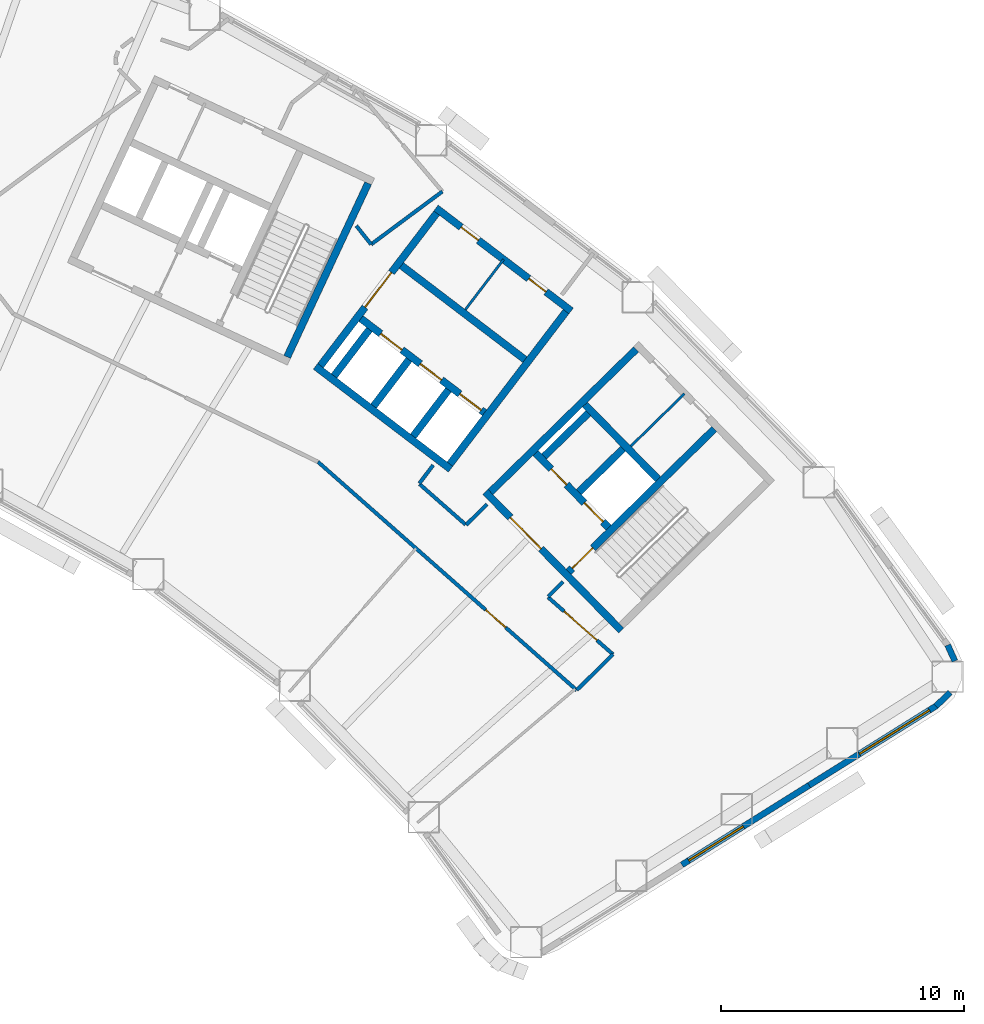
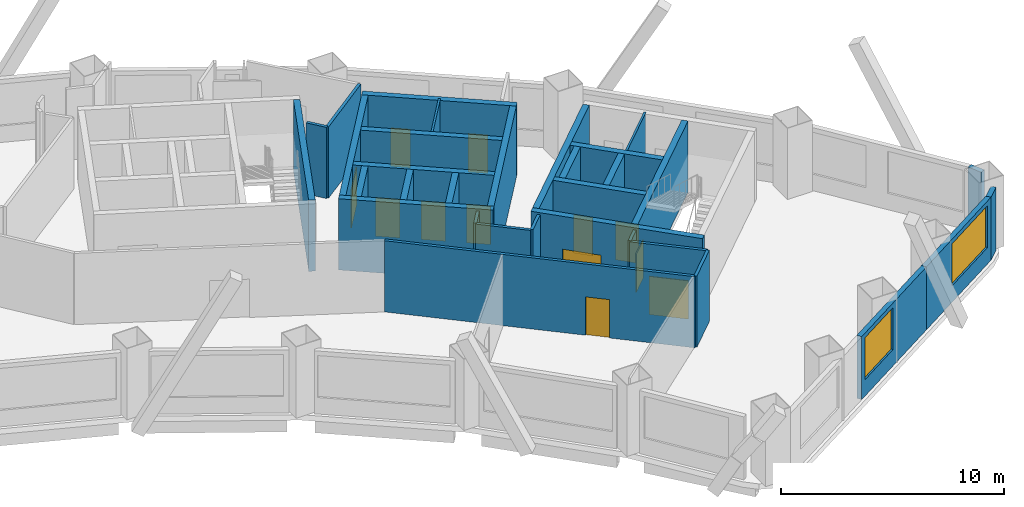
# One storey, part 6 of 11: 32 walls, 12 doors, 2 windows, 14 openings.
"""IFC4 building model written with IfcOpenShell, lengths in metres."""

import ifcopenshell
import ifcopenshell.guid

model = None  # the IFC model being written
_history = None  # IfcOwnerHistory: only IFC2X3 demands one
_inside = {}  # id of a spatial element -> (the spatial element, [elements in it])
_under = {}  # id of a project, library or spatial element -> (it, [spatial elements below it])
_declared = {}  # id of a project -> (the project, [libraries it declares])
_typed = {}  # id of a type object -> (the type object, [elements of that type])
_made_of = {}  # id of a material, layer set ... -> (it, [elements and type objects made of it])


def new_model(schema):
    """Start an empty IFC model of exactly this schema.

    Asked for "IFC4X3", IfcOpenShell would pick the latest addendum, in which some entities
    have other attributes; the version numbers below select the first issue.
    IFC2X3 requires an IfcOwnerHistory on every rooted entity: one is made here for all.
    """
    global model, _history
    if schema == "IFC4X3":
        model = ifcopenshell.file(schema_version=(4, 3, 0, 0))
    else:
        model = ifcopenshell.file(schema=schema)
    _inside.clear()
    _under.clear()
    _declared.clear()
    _typed.clear()
    _made_of.clear()
    _history = None
    if model.schema == "IFC2X3":
        org = make("IfcOrganization", Name="unknown")
        user = make(
            "IfcPersonAndOrganization",
            ThePerson=make("IfcPerson", FamilyName="unknown"),
            TheOrganization=org,
        )
        app = make(
            "IfcApplication",
            ApplicationDeveloper=org,
            Version="unknown",
            ApplicationFullName="unknown",
            ApplicationIdentifier="unknown",
        )
        _history = make(
            "IfcOwnerHistory",
            OwningUser=user,
            OwningApplication=app,
            ChangeAction="ADDED",
            CreationDate=0,
        )
    return model


def make(cls, **values):
    """One entity of the class cls with the attributes given. An attribute that is None is left unset."""
    return model.create_entity(
        cls, **{name: value for name, value in values.items() if value is not None}
    )


def rooted(cls, **values):
    """An entity with a GlobalId (a new one), such as an element, a storey or a relation."""
    return make(cls, GlobalId=ifcopenshell.guid.new(), OwnerHistory=_history, **values)


def si_unit(unit_type, name, prefix=None):
    """IfcSIUnit, for example si_unit("LENGTHUNIT", "METRE", prefix="MILLI")."""
    return make("IfcSIUnit", UnitType=unit_type, Prefix=prefix, Name=name)


def assignment(units):
    """IfcUnitAssignment: the units of a project."""
    return None if units is None else make("IfcUnitAssignment", Units=units)


def point(xyz):
    """IfcCartesianPoint."""
    return None if xyz is None else make("IfcCartesianPoint", Coordinates=xyz)


def direction(xyz):
    """IfcDirection."""
    return None if xyz is None else make("IfcDirection", DirectionRatios=xyz)


def frame(location, z_axis=None, x_axis=None):
    """IfcAxis2Placement3D, a coordinate frame: its origin and axes. An axis left out is left unset."""
    return make(
        "IfcAxis2Placement3D",
        Location=point(location),
        Axis=direction(z_axis),
        RefDirection=direction(x_axis),
    )


def frame_2d(location, x_axis=None):
    """IfcAxis2Placement2D, a coordinate frame in the plane: its origin and x axis."""
    return make(
        "IfcAxis2Placement2D", Location=point(location), RefDirection=direction(x_axis)
    )


def origin():
    """The frame at (0, 0, 0) with its axes left unset."""
    return frame((0.0, 0.0, 0.0))


def place(relative_to, where):
    """IfcLocalPlacement: puts the frame where relative to a parent placement (None: the world)."""
    return make(
        "IfcLocalPlacement", PlacementRelTo=relative_to, RelativePlacement=where
    )


def context(
    kind, dimensions, precision=None, world=None, true_north=None, identifier=None
):
    """IfcGeometricRepresentationContext, for example the 3D "Model" context."""
    return make(
        "IfcGeometricRepresentationContext",
        ContextIdentifier=identifier,
        ContextType=kind,
        CoordinateSpaceDimension=dimensions,
        Precision=precision,
        WorldCoordinateSystem=world,
        TrueNorth=true_north,
    )


def subcontext(parent, identifier, kind, view, scale=None):
    """IfcGeometricRepresentationSubContext, for example "Body" below "Model"."""
    return make(
        "IfcGeometricRepresentationSubContext",
        ContextIdentifier=identifier,
        ContextType=kind,
        ParentContext=parent,
        TargetScale=scale,
        TargetView=view,
    )


def project(units=None, contexts=None):
    """IfcProject with its units and contexts."""
    return rooted(
        "IfcProject",
        Name="project",
        RepresentationContexts=contexts,
        UnitsInContext=assignment(units),
    )


def spatial(cls, under=None, at=None, **own):
    """A site, building, storey or space (cls), placed at a placement, below another one or the project."""
    s = rooted(cls, ObjectPlacement=at, **own)
    if under is not None:
        _under.setdefault(under.id(), (under, []))[1].append(s)
    return s


def profile(cls, at=None, kind="AREA", **sizes):
    """A parametric profile (cls). Its sizes go by their IFC names, for example OverallWidth=200.0."""
    return make(cls, ProfileType=kind, Position=at, **sizes)


def rectangle(**sizes):
    """IfcRectangleProfileDef."""
    return profile("IfcRectangleProfileDef", **sizes)


def extrude(swept, where, along, depth):
    """IfcExtrudedAreaSolid: the profile swept, set in the frame where, extruded along a direction by depth."""
    return make(
        "IfcExtrudedAreaSolid",
        SweptArea=swept,
        Position=where,
        ExtrudedDirection=direction(along),
        Depth=depth,
    )


def shape(context_of_items, identifier, shape_type, items):
    """IfcShapeRepresentation: the items that make up one representation, for example the "Body"."""
    return make(
        "IfcShapeRepresentation",
        ContextOfItems=context_of_items,
        RepresentationIdentifier=identifier,
        RepresentationType=shape_type,
        Items=items,
    )


def material(Name=None, Category=None):
    """IfcMaterial."""
    return make("IfcMaterial", Name=Name, Category=Category)


def layer(
    of_material, thickness, ventilated=None, Name=None, Category=None, Priority=None
):
    """IfcMaterialLayer: one layer of a wall or slab, of a material (None: an air gap)."""
    return make(
        "IfcMaterialLayer",
        Material=of_material,
        LayerThickness=thickness,
        IsVentilated=ventilated,
        Name=Name,
        Category=Category,
        Priority=Priority,
    )


def layer_set(layers, Name=None):
    """IfcMaterialLayerSet."""
    return make("IfcMaterialLayerSet", MaterialLayers=layers, LayerSetName=Name)


def made_of(thing, what):
    """Note that an element or type object is made of a material, layer set ...; save() writes the relation."""
    if what is not None:
        _made_of.setdefault(what.id(), (what, []))[1].append(thing)
    return thing


def type_object(cls, material=None, **own):
    """A type object (cls), such as IfcWallType, which elements share."""
    return made_of(rooted(cls, **own), material)


def element(
    cls,
    number,
    at=None,
    inside=None,
    cuts=None,
    type_object=None,
    material=None,
    context=None,
    identifier="Body",
    shape_type=None,
    held_by="IfcProductDefinitionShape",
    body=None,
    shapes=None,
    **own,
):
    """One element of the class cls, such as IfcWall. Its Tag is "e" and its number.

    at: its placement. inside: the storey or other place that contains it. cuts: it is an
    opening in that element (IfcRelVoidsElement). A single representation is given by context,
    identifier, shape_type and body (its items); several are given by shapes. held_by: the class
    of the entity that holds the representations. save() writes the other relations.
    """
    e = rooted(cls, Tag="e%d" % number, ObjectPlacement=at, **own)
    if body is not None:
        shapes = [shape(context, identifier, shape_type, body)]
    if shapes is not None:
        e.Representation = make(held_by, Representations=shapes)
    if inside is not None:
        _inside.setdefault(inside.id(), (inside, []))[1].append(e)
    if cuts is not None:
        rooted(
            "IfcRelVoidsElement", RelatingBuildingElement=cuts, RelatedOpeningElement=e
        )
    if type_object is not None:
        _typed.setdefault(type_object.id(), (type_object, []))[1].append(e)
    return made_of(e, material)


def fill(opening, filler):
    """IfcRelFillsElement: the door or window that sits in an opening."""
    return rooted(
        "IfcRelFillsElement",
        RelatingOpeningElement=opening,
        RelatedBuildingElement=filler,
    )


def aggregate(whole, parts):
    """IfcRelAggregates: a whole, such as a stair, and the parts it consists of."""
    return rooted("IfcRelAggregates", RelatingObject=whole, RelatedObjects=parts)


def save(model, path):
    """Write the relations noted so far, then the file.

    IfcRelAggregates (storeys below a building ...), IfcRelContainedInSpatialStructure (elements
    in a storey), IfcRelDefinesByType, IfcRelAssociatesMaterial and IfcRelDeclares: one each for
    every whole, place, type object, material and project.
    """
    for whole, parts in _under.values():
        aggregate(whole, parts)
    for where, things in _inside.values():
        rooted(
            "IfcRelContainedInSpatialStructure",
            RelatedElements=things,
            RelatingStructure=where,
        )
    for kind, things in _typed.values():
        rooted("IfcRelDefinesByType", RelatedObjects=things, RelatingType=kind)
    for what, things in _made_of.values():
        rooted("IfcRelAssociatesMaterial", RelatedObjects=things, RelatingMaterial=what)
    for by, libraries in _declared.values():
        rooted("IfcRelDeclares", RelatingContext=by, RelatedDefinitions=libraries)
    model.write(path)


model = new_model("IFC4")

# Units and contexts
model_context = context("Model", 3, precision=1e-05, world=origin(), true_north=direction((0.0, 1.0)))
body_context = subcontext(model_context, "Body", "Model", "MODEL_VIEW")
ifc_project = project(units=[si_unit("LENGTHUNIT", "METRE"), si_unit("AREAUNIT", "SQUARE_METRE"), si_unit("VOLUMEUNIT", "CUBIC_METRE"), si_unit("PLANEANGLEUNIT", "RADIAN"), si_unit("MASSUNIT", "GRAM", prefix="KILO")], contexts=[model_context])

# Site, building, storey
site_placement = place(None, origin())
site = spatial("IfcSite", under=ifc_project, at=site_placement, CompositionType="ELEMENT")
building_placement = place(site_placement, origin())
building = spatial("IfcBuilding", under=site, at=building_placement, Name="Tuul Gate Civic Tower", CompositionType="ELEMENT")
storey_placement = place(building_placement, frame((0.0, 0.0, 39.89990234375)))
storey = spatial("IfcBuildingStorey", under=building, at=storey_placement, Name="Level 08", CompositionType="ELEMENT", Elevation=39.89990234375)

# Wall, opening, door
ifc_material_1 = material(Name="Concrete C50/60", Category="concrete")
ifc_layer_1 = layer(ifc_material_1, 0.300048828125)
ifc_layer_set_1 = layer_set([ifc_layer_1], Name="Concrete C50/60")
wall_type_1 = type_object("IfcWallType", Name="Core wall C50/60", PredefinedType="SHEAR", material=ifc_layer_set_1)
wall_1_placement = place(storey_placement, frame((48.22509765625, -18.327880859375, 0.0), z_axis=(0.0, 0.0, 1.0), x_axis=(-0.700021979774, 0.714121297703, 0.0)))
wall_1 = element("IfcWall", 1, at=wall_1_placement, inside=storey, type_object=wall_type_1, Name="Core wall", PredefinedType="SHEAR", context=body_context, shape_type="SweptSolid", body=[
    extrude(rectangle(XDim=8.0, YDim=0.300048828125, at=frame_2d((4.0, 0.0))), origin(), (0.0, 0.0, 1.0), 3.900146484375),
])
opening_1_placement = place(wall_1_placement, frame((4.72509765625, 0.0, 0.0)))
opening_1 = element("IfcOpeningElement", 2, at=opening_1_placement, cuts=wall_1, Name="Opening LB-E1-LOBBY-1", PredefinedType="OPENING", context=body_context, shape_type="SweptSolid", body=[
    extrude(rectangle(XDim=1.800048828125, YDim=2.10009765625, at=frame_2d((0.89990234375, 1.050048828125))), frame((0.0, 0.16015625, 0.0), z_axis=(0.0, -1.0, 0.0), x_axis=(1.0, 0.0, 0.0)), (0.0, 0.0, 1.0), 0.320068359375),
])
ifc_material_2 = material(Name="Steel", Category="steel")
door_type_1 = type_object("IfcDoorType", Name="Lobby door", OperationType="DOUBLE_DOOR_SINGLE_SWING", PredefinedType="DOOR", material=ifc_material_2)
door_1_placement = place(opening_1_placement, frame((1.800048828125, 0.0, 0.0), z_axis=(0.0, 0.0, 1.0), x_axis=(-1.0, 0.0, 0.0)))
door_1 = element("IfcDoor", 3, at=door_1_placement, inside=storey, type_object=door_type_1, Name="Lobby door E1-LOBBY", OperationType="DOUBLE_DOOR_SINGLE_SWING", OverallHeight=2.10009765625, OverallWidth=1.800048828125, PredefinedType="DOOR", context=body_context, shape_type="SweptSolid", body=[
    extrude(rectangle(XDim=1.800048828125, YDim=2.10009765625, at=frame_2d((0.900146484375, 1.050048828125))), frame((0.0, 0.02490234375, 0.0), z_axis=(0.0, -1.0, 0.0), x_axis=(1.0, 0.0, 0.0)), (0.0, 0.0, 1.0), 0.050048828125),
])
fill(opening_1, door_1)

# Wall, openings, doors
wall_2_placement = place(storey_placement, frame((47.701904296875, -14.079833984375, 0.0), z_axis=(0.0, 0.0, 1.0), x_axis=(-0.700002721075, 0.714140175657, 0.0)))
wall_2 = element("IfcWall", 4, at=wall_2_placement, inside=storey, type_object=wall_type_1, Name="Core wall", PredefinedType="SHEAR", context=body_context, shape_type="SweptSolid", body=[
    extrude(rectangle(XDim=4.300048828125, YDim=0.300048828125, at=frame_2d((2.14990234375, 0.0))), origin(), (0.0, 0.0, 1.0), 3.900146484375),
])
opening_2_placement = place(wall_2_placement, frame((0.324951171875, 0.0, 0.0)))
opening_2 = element("IfcOpeningElement", 5, at=opening_2_placement, cuts=wall_2, Name="Opening LD-L4", PredefinedType="OPENING", context=body_context, shape_type="SweptSolid", body=[
    extrude(rectangle(XDim=1.10009765625, YDim=2.10009765625, at=frame_2d((0.550048828125, 1.050048828125))), frame((0.0, 0.16015625, 0.0), z_axis=(0.0, -1.0, 0.0), x_axis=(1.0, 0.0, 0.0)), (0.0, 0.0, 1.0), 0.320068359375),
])
opening_3_placement = place(wall_2_placement, frame((2.47509765625, 0.0, 0.0)))
opening_3 = element("IfcOpeningElement", 6, at=opening_3_placement, cuts=wall_2, Name="Opening FB-E1A2", PredefinedType="OPENING", context=body_context, shape_type="SweptSolid", body=[
    extrude(rectangle(XDim=0.89990234375, YDim=2.10009765625, at=frame_2d((0.449951171875, 1.050048828125))), frame((0.0, 0.16015625, 0.0), z_axis=(0.0, -1.0, 0.0), x_axis=(1.0, 0.0, 0.0)), (0.0, 0.0, 1.0), 0.320068359375),
])
ifc_material_3 = material(Name="Stainless steel", Category="steel")
door_type_2 = type_object("IfcDoorType", Name="Landing door", OperationType="DOUBLE_DOOR_SLIDING", PredefinedType="DOOR", material=ifc_material_3)
door_2_placement = place(opening_2_placement, origin())
door_2 = element("IfcDoor", 7, at=door_2_placement, inside=storey, type_object=door_type_2, Name="Low-rise lift L4 landing door", OperationType="DOUBLE_DOOR_SLIDING", OverallHeight=2.10009765625, OverallWidth=1.10009765625, PredefinedType="DOOR", context=body_context, shape_type="SweptSolid", body=[
    extrude(rectangle(XDim=1.10009765625, YDim=2.10009765625, at=frame_2d((0.550048828125, 1.050048828125))), frame((0.0, 0.02490234375, 0.0), z_axis=(0.0, -1.0, 0.0), x_axis=(1.0, 0.0, 0.0)), (0.0, 0.0, 1.0), 0.050048828125),
])
fill(opening_2, door_2)
ifc_material_4 = material(Name="Steel", Category="steel")
door_type_3 = type_object("IfcDoorType", Name="Store door", OperationType="NOTDEFINED", PredefinedType="DOOR", material=ifc_material_4)
door_3_placement = place(opening_3_placement, frame((0.89990234375, 0.0, 0.0), z_axis=(0.0, 0.0, 1.0), x_axis=(-1.0, 0.0, 0.0)))
door_3 = element("IfcDoor", 8, at=door_3_placement, inside=storey, type_object=door_type_3, Name="Store door E1A2", OperationType="SINGLE_SWING_LEFT", OverallHeight=2.10009765625, OverallWidth=0.89990234375, PredefinedType="DOOR", context=body_context, shape_type="SweptSolid", body=[
    extrude(rectangle(XDim=0.89990234375, YDim=2.10009765625, at=frame_2d((0.449951171875, 1.050048828125))), frame((0.0, 0.02490234375, 0.0), z_axis=(0.0, -1.0, 0.0), x_axis=(1.0, 0.0, 0.0)), (0.0, 0.0, 1.0), 0.050048828125),
])
fill(opening_3, door_3)

# Wall
wall_3_placement = place(storey_placement, frame((49.737060546875, -12.0849609375, 0.0), z_axis=(0.0, 0.0, 1.0), x_axis=(-0.700002721075, 0.714140175657, 0.0)))
element("IfcWall", 9, at=wall_3_placement, inside=storey, type_object=wall_type_1, Name="Core wall", PredefinedType="SHEAR", context=body_context, shape_type="SweptSolid", body=[
    extrude(rectangle(XDim=4.300048828125, YDim=0.300048828125, at=frame_2d((2.14990234375, 0.0))), origin(), (0.0, 0.0, 1.0), 3.900146484375),
])

# Wall, opening, door
wall_4_placement = place(storey_placement, frame((46.05712890625, -15.902099609375, 0.0), z_axis=(0.0, 0.0, 1.0), x_axis=(0.714134086973, 0.700008932674, 0.0)))
wall_4 = element("IfcWall", 10, at=wall_4_placement, inside=storey, type_object=wall_type_1, Name="Core wall", PredefinedType="SHEAR", context=body_context, shape_type="SweptSolid", body=[
    extrude(rectangle(XDim=8.400146484375, YDim=0.300048828125, at=frame_2d((4.2001953125, 0.0))), origin(), (0.0, 0.0, 1.0), 3.900146484375),
])
opening_4_placement = place(wall_4_placement, frame((0.199951171875, 0.0, 0.0)))
opening_4 = element("IfcOpeningElement", 11, at=opening_4_placement, cuts=wall_4, Name="Opening SD-ST-3", PredefinedType="OPENING", context=body_context, shape_type="SweptSolid", body=[
    extrude(rectangle(XDim=1.199951171875, YDim=2.10009765625, at=frame_2d((0.60009765625, 1.050048828125))), frame((0.0, 0.16015625, 0.0), z_axis=(0.0, -1.0, 0.0), x_axis=(1.0, 0.0, 0.0)), (0.0, 0.0, 1.0), 0.320068359375),
])
ifc_material_5 = material(Name="Steel", Category="steel")
door_type_4 = type_object("IfcDoorType", Name="Stair door", OperationType="NOTDEFINED", PredefinedType="DOOR", material=ifc_material_5)
door_4_placement = place(opening_4_placement, origin())
door_4 = element("IfcDoor", 12, at=door_4_placement, inside=storey, type_object=door_type_4, Name="Stair door ST-3", OperationType="SINGLE_SWING_LEFT", OverallHeight=2.10009765625, OverallWidth=1.199951171875, PredefinedType="DOOR", context=body_context, shape_type="SweptSolid", body=[
    extrude(rectangle(XDim=1.199951171875, YDim=2.10009765625, at=frame_2d((0.60009765625, 1.050048828125))), frame((0.0, 0.02490234375, 0.0), z_axis=(0.0, -1.0, 0.0), x_axis=(1.0, 0.0, 0.0)), (0.0, 0.0, 1.0), 0.050048828125),
])
fill(opening_4, door_4)

# Walls
wall_5_placement = place(storey_placement, frame((46.47900390625, -12.617919921875, 0.0), z_axis=(0.0, 0.0, 1.0), x_axis=(0.71410944159, 0.700034074479, 0.0)))
element("IfcWall", 13, at=wall_5_placement, inside=storey, type_object=wall_type_1, Name="Core wall", PredefinedType="SHEAR", context=body_context, shape_type="SweptSolid", body=[
    extrude(rectangle(XDim=2.5498046875, YDim=0.300048828125, at=frame_2d((1.27490234375, 0.0))), origin(), (0.0, 0.0, 1.0), 3.900146484375),
])
wall_6_placement = place(storey_placement, frame((45.0439453125, -11.154052734375, 0.0), z_axis=(0.0, 0.0, 1.0), x_axis=(0.714108498262, 0.700035036773, 0.0)))
element("IfcWall", 14, at=wall_6_placement, inside=storey, type_object=wall_type_1, Name="Core wall", PredefinedType="SHEAR", context=body_context, shape_type="SweptSolid", body=[
    extrude(rectangle(XDim=2.550048828125, YDim=0.300048828125, at=frame_2d((1.27490234375, 0.0))), origin(), (0.0, 0.0, 1.0), 3.900146484375),
])
wall_7_placement = place(storey_placement, frame((42.837158203125, -12.616943359375, 0.0), z_axis=(0.0, 0.0, 1.0), x_axis=(0.714119844755, 0.700023461983, 0.0)))
element("IfcWall", 15, at=wall_7_placement, inside=storey, type_object=wall_type_1, Name="Core wall", PredefinedType="SHEAR", context=body_context, shape_type="SweptSolid", body=[
    extrude(rectangle(XDim=8.39990234375, YDim=0.300048828125, at=frame_2d((4.199951171875, 0.0))), origin(), (0.0, 0.0, 1.0), 3.900146484375),
])
wall_8_placement = place(storey_placement, frame((34.455810546875, -7.05078125, 0.0), z_axis=(0.0, 0.0, 1.0), x_axis=(0.422570768258, 0.906329932096, 0.0)))
element("IfcWall", 16, at=wall_8_placement, inside=storey, type_object=wall_type_1, Name="Core wall", PredefinedType="SHEAR", context=body_context, shape_type="SweptSolid", body=[
    extrude(rectangle(XDim=7.900146484375, YDim=0.300048828125, at=frame_2d((3.9501953125, 0.0))), origin(), (0.0, 0.0, 1.0), 3.900146484375),
])

# Wall, opening, door
ifc_material_6 = material(Name="Gypsum board partition")
ifc_layer_2 = layer(ifc_material_6, 0.14990234375)
ifc_layer_set_2 = layer_set([ifc_layer_2], Name="Gypsum board partition")
wall_type_2 = type_object("IfcWallType", Name="Corridor wall P150", PredefinedType="PARTITIONING", material=ifc_layer_set_2)
wall_9_placement = place(storey_placement, frame((35.7294921875, -11.376708984375, 0.0), z_axis=(0.0, 0.0, 1.0), x_axis=(0.749813799655, -0.661648899226, 0.0)))
wall_9 = element("IfcWall", 17, at=wall_9_placement, inside=storey, type_object=wall_type_2, Name="p002", PredefinedType="PARTITIONING", context=body_context, shape_type="SweptSolid", body=[
    extrude(rectangle(XDim=14.216796875, YDim=0.14990234375, at=frame_2d((7.1083984375, 0.0))), origin(), (0.0, 0.0, 1.0), 3.900146484375),
])
opening_5_placement = place(wall_9_placement, frame((9.210205078125, 0.0, 0.0)))
opening_5 = element("IfcOpeningElement", 18, at=opening_5_placement, cuts=wall_9, Name="Opening B-D07", PredefinedType="OPENING", context=body_context, shape_type="SweptSolid", body=[
    extrude(rectangle(XDim=1.10009765625, YDim=2.10009765625, at=frame_2d((0.550048828125, 1.050048828125))), frame((0.0, 0.0849609375, 0.0), z_axis=(0.0, -1.0, 0.0), x_axis=(1.0, 0.0, 0.0)), (0.0, 0.0, 1.0), 0.169921875),
])
ifc_material_7 = material(Name="Timber door leaf", Category="wood")
door_type_5 = type_object("IfcDoorType", Name="Door D11", OperationType="NOTDEFINED", PredefinedType="DOOR", material=ifc_material_7)
door_5_placement = place(opening_5_placement, frame((1.10009765625, 0.0, 0.0), z_axis=(0.0, 0.0, 1.0), x_axis=(-1.0, 0.0, 0.0)))
door_5 = element("IfcDoor", 19, at=door_5_placement, inside=storey, type_object=door_type_5, Name="Door B-D07", OperationType="SINGLE_SWING_LEFT", OverallHeight=2.10009765625, OverallWidth=1.10009765625, PredefinedType="DOOR", context=body_context, shape_type="SweptSolid", body=[
    extrude(rectangle(XDim=1.10009765625, YDim=2.10009765625, at=frame_2d((0.550048828125, 1.050048828125))), frame((0.0, 0.02490234375, 0.0), z_axis=(0.0, -1.0, 0.0), x_axis=(1.0, 0.0, 0.0)), (0.0, 0.0, 1.0), 0.050048828125),
])
fill(opening_5, door_5)

# Walls
wall_10_placement = place(storey_placement, frame((46.389404296875, -20.783203125, 0.0), z_axis=(0.0, 0.0, 1.0), x_axis=(0.711568254361, 0.702616979147, 0.0)))
element("IfcWall", 20, at=wall_10_placement, inside=storey, type_object=wall_type_2, Name="p003", PredefinedType="PARTITIONING", context=body_context, shape_type="SweptSolid", body=[
    extrude(rectangle(XDim=2.10009765625, YDim=0.14990234375, at=frame_2d((1.050048828125, 0.0))), origin(), (0.0, 0.0, 1.0), 3.900146484375),
])
wall_11_placement = place(storey_placement, frame((39.9091796875, -12.28662109375, 0.0), z_axis=(0.0, 0.0, 1.0), x_axis=(0.75053401332, -0.660831820397, 0.0)))
element("IfcWall", 21, at=wall_11_placement, inside=storey, type_object=wall_type_2, Name="p004", PredefinedType="PARTITIONING", context=body_context, shape_type="SweptSolid", body=[
    extrude(rectangle(XDim=2.53662109375, YDim=0.14990234375, at=frame_2d((1.268310546875, 0.0))), origin(), (0.0, 0.0, 1.0), 3.900146484375),
])

# Wall, opening, door
wall_12_placement = place(storey_placement, frame((45.210693359375, -16.954345703125, 0.0), z_axis=(0.0, 0.0, 1.0), x_axis=(0.750581589345, -0.660777782418, 0.0)))
wall_12 = element("IfcWall", 22, at=wall_12_placement, inside=storey, type_object=wall_type_2, Name="p005", PredefinedType="PARTITIONING", context=body_context, shape_type="SweptSolid", body=[
    extrude(rectangle(XDim=3.561279296875, YDim=0.14990234375, at=frame_2d((1.78076171875, 0.0))), origin(), (0.0, 0.0, 1.0), 3.900146484375),
])
opening_6_placement = place(wall_12_placement, frame((0.880615234375, 0.0, 0.0)))
opening_6 = element("IfcOpeningElement", 23, at=opening_6_placement, cuts=wall_12, Name="Opening B-D01", PredefinedType="OPENING", context=body_context, shape_type="SweptSolid", body=[
    extrude(rectangle(XDim=1.800048828125, YDim=2.10009765625, at=frame_2d((0.89990234375, 1.050048828125))), frame((0.0, 0.0849609375, 0.0), z_axis=(0.0, -1.0, 0.0), x_axis=(1.0, 0.0, 0.0)), (0.0, 0.0, 1.0), 0.169921875),
])
ifc_material_8 = material(Name="Timber door leaf, double", Category="wood")
door_type_6 = type_object("IfcDoorType", Name="Door D18", OperationType="DOUBLE_DOOR_SINGLE_SWING", PredefinedType="DOOR", material=ifc_material_8)
door_6_placement = place(opening_6_placement, frame((1.800048828125, 0.0, 0.0), z_axis=(0.0, 0.0, 1.0), x_axis=(-1.0, 0.0, 0.0)))
door_6 = element("IfcDoor", 24, at=door_6_placement, inside=storey, type_object=door_type_6, Name="Door B-D01", OperationType="DOUBLE_DOOR_SINGLE_SWING", OverallHeight=2.10009765625, OverallWidth=1.800048828125, PredefinedType="DOOR", context=body_context, shape_type="SweptSolid", body=[
    extrude(rectangle(XDim=1.800048828125, YDim=2.10009765625, at=frame_2d((0.900146484375, 1.050048828125))), frame((0.0, 0.02490234375, 0.0), z_axis=(0.0, -1.0, 0.0), x_axis=(1.0, 0.0, 0.0)), (0.0, 0.0, 1.0), 0.050048828125),
])
fill(opening_6, door_6)

# Walls
wall_13_placement = place(storey_placement, frame((45.2099609375, -16.924560546875, 0.0), z_axis=(0.0, 0.0, 1.0), x_axis=(0.710880918449, 0.703312391321, 0.0)))
element("IfcWall", 25, at=wall_13_placement, inside=storey, type_object=wall_type_2, Name="p006", PredefinedType="PARTITIONING", context=body_context, shape_type="SweptSolid", body=[
    extrude(rectangle(XDim=0.870849609375, YDim=0.14990234375, at=frame_2d((0.435546875, 0.0))), origin(), (0.0, 0.0, 1.0), 3.900146484375),
])
wall_14_placement = place(storey_placement, frame((41.836669921875, -13.965576171875, 0.0), z_axis=(0.0, 0.0, 1.0), x_axis=(0.712339919923, 0.701834623316, 0.0)))
element("IfcWall", 26, at=wall_14_placement, inside=storey, type_object=wall_type_2, Name="p007", PredefinedType="PARTITIONING", context=body_context, shape_type="SweptSolid", body=[
    extrude(rectangle(XDim=1.20849609375, YDim=0.14990234375, at=frame_2d((0.604248046875, 0.0))), origin(), (0.0, 0.0, 1.0), 3.900146484375),
])
wall_15_placement = place(storey_placement, frame((39.90625, -12.2587890625, 0.0), z_axis=(0.0, 0.0, 1.0), x_axis=(0.602818411343, 0.797878413636, 0.0)))
element("IfcWall", 27, at=wall_15_placement, inside=storey, type_object=wall_type_2, Name="p008", PredefinedType="PARTITIONING", context=body_context, shape_type="SweptSolid", body=[
    extrude(rectangle(XDim=0.941162109375, YDim=0.14990234375, at=frame_2d((0.470703125, 0.0))), origin(), (0.0, 0.0, 1.0), 3.900146484375),
])
wall_16_placement = place(storey_placement, frame((37.91796875, -2.41162109375, 0.0), z_axis=(0.0, 0.0, 1.0), x_axis=(0.802678044925, 0.59641257213, 0.0)))
element("IfcWall", 28, at=wall_16_placement, inside=storey, type_object=wall_type_2, Name="p010", PredefinedType="PARTITIONING", context=body_context, shape_type="SweptSolid", body=[
    extrude(rectangle(XDim=3.65380859375, YDim=0.14990234375, at=frame_2d((1.826904296875, 0.0))), origin(), (0.0, 0.0, 1.0), 3.900146484375),
])
wall_17_placement = place(storey_placement, frame((37.30712890625, -1.6455078125, 0.0), z_axis=(0.0, 0.0, 1.0), x_axis=(0.623417987598, -0.781888747035, 0.0)))
element("IfcWall", 29, at=wall_17_placement, inside=storey, type_object=wall_type_2, Name="p011", PredefinedType="PARTITIONING", context=body_context, shape_type="SweptSolid", body=[
    extrude(rectangle(XDim=0.979736328125, YDim=0.14990234375, at=frame_2d((0.48974609375, 0.0))), origin(), (0.0, 0.0, 1.0), 3.900146484375),
])
ifc_material_9 = material(Name="Precast concrete C40/50", Category="concrete")
ifc_layer_3 = layer(ifc_material_9, 0.25)
ifc_layer_set_3 = layer_set([ifc_layer_3], Name="Precast concrete C40/50")
wall_type_3 = type_object("IfcWallType", Name="External wall", PredefinedType="STANDARD", material=ifc_layer_set_3)
wall_18_placement = place(storey_placement, frame((61.1904296875, -21.442626953125, 0.0), z_axis=(0.0, 0.0, 1.0), x_axis=(0.722244224905, 0.691638113172, 0.0)))
element("IfcWall", 30, at=wall_18_placement, inside=storey, type_object=wall_type_3, Name="External wall", PredefinedType="STANDARD", context=body_context, shape_type="SweptSolid", body=[
    extrude(rectangle(XDim=0.813720703125, YDim=0.25, at=frame_2d((0.40673828125, 0.0))), origin(), (0.0, 0.0, 1.0), 3.4501953125),
])
wall_19_placement = place(storey_placement, frame((61.973388671875, -19.580078125, 0.0), z_axis=(0.0, 0.0, 1.0), x_axis=(-0.412831515496, 0.910807410934, 0.0)))
element("IfcWall", 31, at=wall_19_placement, inside=storey, type_object=wall_type_3, Name="External wall", PredefinedType="STANDARD", context=body_context, shape_type="SweptSolid", body=[
    extrude(rectangle(XDim=0.7197265625, YDim=0.25, at=frame_2d((0.35986328125, 0.0))), origin(), (0.0, 0.0, 1.0), 3.4501953125),
])

# Wall, opening, window
wall_20_placement = place(storey_placement, frame((50.72412109375, -27.979736328125, 0.0), z_axis=(0.0, 0.0, 1.0), x_axis=(0.848053758074, 0.529910203164, 0.0)))
wall_20 = element("IfcWall", 32, at=wall_20_placement, inside=storey, type_object=wall_type_3, Name="External wall", PredefinedType="STANDARD", context=body_context, shape_type="SweptSolid", body=[
    extrude(rectangle(XDim=6.182861328125, YDim=0.25, at=frame_2d((3.09130859375, 0.0))), origin(), (0.0, 0.0, 1.0), 3.4501953125),
])
opening_7_placement = place(wall_20_placement, frame((0.3330078125, 0.0, 0.89990234375)))
opening_7 = element("IfcOpeningElement", 33, at=opening_7_placement, cuts=wall_20, Name="Opening W37", PredefinedType="OPENING", context=body_context, shape_type="SweptSolid", body=[
    extrude(rectangle(XDim=2.64990234375, YDim=2.300048828125, at=frame_2d((1.324951171875, 1.14990234375))), frame((0.0, 0.135009765625, 0.0), z_axis=(0.0, -1.0, 0.0), x_axis=(1.0, 0.0, 0.0)), (0.0, 0.0, 1.0), 0.27001953125),
])
ifc_material_10 = material(Name="Glass", Category="glass")
window_type_1 = type_object("IfcWindowType", Name="Window 2650 x 2300", PartitioningType="SINGLE_PANEL", PredefinedType="WINDOW", material=ifc_material_10)
window_1_placement = place(opening_7_placement, origin())
window_1 = element("IfcWindow", 34, at=window_1_placement, inside=storey, type_object=window_type_1, Name="Window", OverallHeight=2.300048828125, OverallWidth=2.64990234375, PartitioningType="SINGLE_PANEL", PredefinedType="WINDOW", context=body_context, shape_type="SweptSolid", body=[
    extrude(rectangle(XDim=2.64990234375, YDim=2.300048828125, at=frame_2d((1.324951171875, 1.14990234375))), frame((0.0, 0.030029296875, 0.0), z_axis=(0.0, -1.0, 0.0), x_axis=(1.0, 0.0, 0.0)), (0.0, 0.0, 1.0), 0.06005859375),
])
fill(opening_7, window_1)

wall_21_placement = place(storey_placement, frame((55.967529296875, -24.703369140625, 0.0), z_axis=(0.0, 0.0, 1.0), x_axis=(0.848042669488, 0.529927948619, 0.0)))
wall_21 = element("IfcWall", 35, at=wall_21_placement, inside=storey, type_object=wall_type_3, Name="External wall", PredefinedType="STANDARD", context=body_context, shape_type="SweptSolid", body=[
    extrude(rectangle(XDim=6.1826171875, YDim=0.25, at=frame_2d((3.09130859375, 0.0))), origin(), (0.0, 0.0, 1.0), 3.4501953125),
])
opening_8_placement = place(wall_21_placement, frame((2.443115234375, 0.0, 0.89990234375)))
opening_8 = element("IfcOpeningElement", 36, at=opening_8_placement, cuts=wall_21, Name="Opening W32", PredefinedType="OPENING", context=body_context, shape_type="SweptSolid", body=[
    extrude(rectangle(XDim=3.39990234375, YDim=2.300048828125, at=frame_2d((1.699951171875, 1.14990234375))), frame((0.0, 0.135009765625, 0.0), z_axis=(0.0, -1.0, 0.0), x_axis=(1.0, 0.0, 0.0)), (0.0, 0.0, 1.0), 0.27001953125),
])
ifc_material_11 = material(Name="Glass", Category="glass")
window_type_2 = type_object("IfcWindowType", Name="Window 3400 x 2300", PartitioningType="SINGLE_PANEL", PredefinedType="WINDOW", material=ifc_material_11)
window_2_placement = place(opening_8_placement, origin())
window_2 = element("IfcWindow", 37, at=window_2_placement, inside=storey, type_object=window_type_2, Name="Window", OverallHeight=2.300048828125, OverallWidth=3.39990234375, PartitioningType="SINGLE_PANEL", PredefinedType="WINDOW", context=body_context, shape_type="SweptSolid", body=[
    extrude(rectangle(XDim=3.39990234375, YDim=2.300048828125, at=frame_2d((1.699951171875, 1.14990234375))), frame((0.0, 0.030029296875, 0.0), z_axis=(0.0, -1.0, 0.0), x_axis=(1.0, 0.0, 0.0)), (0.0, 0.0, 1.0), 0.06005859375),
])
fill(opening_8, window_2)

# Wall
ifc_material_12 = material(Name="Concrete C40/50", Category="concrete")
ifc_layer_4 = layer(ifc_material_12, 0.300048828125)
ifc_layer_set_4 = layer_set([ifc_layer_4], Name="Concrete C40/50")
wall_type_4 = type_object("IfcWallType", Name="Lift shaft wall C40/50", PredefinedType="STANDARD", material=ifc_layer_set_4)
wall_22_placement = place(storey_placement, frame((41.19189453125, -11.677734375, 0.0), z_axis=(0.0, 0.0, 1.0), x_axis=(-0.795563000331, 0.605870871147, 0.0)))
element("IfcWall", 38, at=wall_22_placement, inside=storey, type_object=wall_type_4, Name="Shaft wall", PredefinedType="STANDARD", context=body_context, shape_type="SweptSolid", body=[
    extrude(rectangle(XDim=7.000244140625, YDim=0.300048828125, at=frame_2d((3.5, 0.0))), origin(), (0.0, 0.0, 1.0), 3.900146484375),
])

# Wall, openings, doors
wall_23_placement = place(storey_placement, frame((42.5888671875, -9.34765625, 0.0), z_axis=(0.0, 0.0, 1.0), x_axis=(-0.795584062101, 0.605843214149, 0.0)))
wall_23 = element("IfcWall", 39, at=wall_23_placement, inside=storey, type_object=wall_type_4, Name="Shaft wall", PredefinedType="STANDARD", context=body_context, shape_type="SweptSolid", body=[
    extrude(rectangle(XDim=6.400146484375, YDim=0.300048828125, at=frame_2d((3.2001953125, 0.0))), origin(), (0.0, 0.0, 1.0), 3.900146484375),
])
opening_9_placement = place(wall_23_placement, frame((0.175048828125, 0.0, 0.0)))
opening_9 = element("IfcOpeningElement", 40, at=opening_9_placement, cuts=wall_23, Name="Opening LD-L1", PredefinedType="OPENING", context=body_context, shape_type="SweptSolid", body=[
    extrude(rectangle(XDim=1.10009765625, YDim=2.10009765625, at=frame_2d((0.550048828125, 1.050048828125))), frame((0.0, 0.16015625, 0.0), z_axis=(0.0, -1.0, 0.0), x_axis=(1.0, 0.0, 0.0)), (0.0, 0.0, 1.0), 0.320068359375),
])
opening_10_placement = place(wall_23_placement, frame((2.22509765625, 0.0, 0.0)))
opening_10 = element("IfcOpeningElement", 41, at=opening_10_placement, cuts=wall_23, Name="Opening LD-L2", PredefinedType="OPENING", context=body_context, shape_type="SweptSolid", body=[
    extrude(rectangle(XDim=1.10009765625, YDim=2.10009765625, at=frame_2d((0.550048828125, 1.050048828125))), frame((0.0, 0.16015625, 0.0), z_axis=(0.0, -1.0, 0.0), x_axis=(1.0, 0.0, 0.0)), (0.0, 0.0, 1.0), 0.320068359375),
])
opening_11_placement = place(wall_23_placement, frame((4.27490234375, 0.0, 0.0)))
opening_11 = element("IfcOpeningElement", 42, at=opening_11_placement, cuts=wall_23, Name="Opening LD-L3", PredefinedType="OPENING", context=body_context, shape_type="SweptSolid", body=[
    extrude(rectangle(XDim=1.10009765625, YDim=2.10009765625, at=frame_2d((0.550048828125, 1.050048828125))), frame((0.0, 0.16015625, 0.0), z_axis=(0.0, -1.0, 0.0), x_axis=(1.0, 0.0, 0.0)), (0.0, 0.0, 1.0), 0.320068359375),
])
door_7_placement = place(opening_9_placement, origin())
door_7 = element("IfcDoor", 43, at=door_7_placement, inside=storey, type_object=door_type_2, Name="Low-rise lift L1 landing door", OperationType="DOUBLE_DOOR_SLIDING", OverallHeight=2.10009765625, OverallWidth=1.10009765625, PredefinedType="DOOR", context=body_context, shape_type="SweptSolid", body=[
    extrude(rectangle(XDim=1.10009765625, YDim=2.10009765625, at=frame_2d((0.550048828125, 1.050048828125))), frame((0.0, 0.02490234375, 0.0), z_axis=(0.0, -1.0, 0.0), x_axis=(1.0, 0.0, 0.0)), (0.0, 0.0, 1.0), 0.050048828125),
])
fill(opening_9, door_7)
door_8_placement = place(opening_10_placement, origin())
door_8 = element("IfcDoor", 44, at=door_8_placement, inside=storey, type_object=door_type_2, Name="Low-rise lift L2 landing door", OperationType="DOUBLE_DOOR_SLIDING", OverallHeight=2.10009765625, OverallWidth=1.10009765625, PredefinedType="DOOR", context=body_context, shape_type="SweptSolid", body=[
    extrude(rectangle(XDim=1.10009765625, YDim=2.10009765625, at=frame_2d((0.550048828125, 1.050048828125))), frame((0.0, 0.02490234375, 0.0), z_axis=(0.0, -1.0, 0.0), x_axis=(1.0, 0.0, 0.0)), (0.0, 0.0, 1.0), 0.050048828125),
])
fill(opening_10, door_8)
door_9_placement = place(opening_11_placement, origin())
door_9 = element("IfcDoor", 45, at=door_9_placement, inside=storey, type_object=door_type_2, Name="Low-rise lift L3 landing door", OperationType="DOUBLE_DOOR_SLIDING", OverallHeight=2.10009765625, OverallWidth=1.10009765625, PredefinedType="DOOR", context=body_context, shape_type="SweptSolid", body=[
    extrude(rectangle(XDim=1.10009765625, YDim=2.10009765625, at=frame_2d((0.550048828125, 1.050048828125))), frame((0.0, 0.02490234375, 0.0), z_axis=(0.0, -1.0, 0.0), x_axis=(1.0, 0.0, 0.0)), (0.0, 0.0, 1.0), 0.050048828125),
])
fill(opening_11, door_9)

# Wall
wall_24_placement = place(storey_placement, frame((44.254638671875, -7.15966796875, 0.0), z_axis=(0.0, 0.0, 1.0), x_axis=(-0.795565675562, 0.605867358312, 0.0)))
element("IfcWall", 46, at=wall_24_placement, inside=storey, type_object=wall_type_4, Name="Shaft wall", PredefinedType="STANDARD", context=body_context, shape_type="SweptSolid", body=[
    extrude(rectangle(XDim=6.400146484375, YDim=0.300048828125, at=frame_2d((3.2001953125, 0.0))), origin(), (0.0, 0.0, 1.0), 3.900146484375),
])

# Wall, openings, doors
wall_25_placement = place(storey_placement, frame((46.1591796875, -5.1533203125, 0.0), z_axis=(0.0, 0.0, 1.0), x_axis=(-0.795579811045, 0.605848796531, 0.0)))
wall_25 = element("IfcWall", 47, at=wall_25_placement, inside=storey, type_object=wall_type_4, Name="Shaft wall", PredefinedType="STANDARD", context=body_context, shape_type="SweptSolid", body=[
    extrude(rectangle(XDim=7.0, YDim=0.300048828125, at=frame_2d((3.5, 0.0))), origin(), (0.0, 0.0, 1.0), 3.900146484375),
])
opening_12_placement = place(wall_25_placement, frame((1.300048828125, 0.0, 0.0)))
opening_12 = element("IfcOpeningElement", 48, at=opening_12_placement, cuts=wall_25, Name="Opening B-D19", PredefinedType="OPENING", context=body_context, shape_type="SweptSolid", body=[
    extrude(rectangle(XDim=0.89990234375, YDim=2.10009765625, at=frame_2d((0.449951171875, 1.050048828125))), frame((0.0, 0.16015625, 0.0), z_axis=(0.0, -1.0, 0.0), x_axis=(1.0, 0.0, 0.0)), (0.0, 0.0, 1.0), 0.320068359375),
])
opening_13_placement = place(wall_25_placement, frame((4.800048828125, 0.0, 0.0)))
opening_13 = element("IfcOpeningElement", 49, at=opening_13_placement, cuts=wall_25, Name="Opening B-D20", PredefinedType="OPENING", context=body_context, shape_type="SweptSolid", body=[
    extrude(rectangle(XDim=0.89990234375, YDim=2.10009765625, at=frame_2d((0.449951171875, 1.050048828125))), frame((0.0, 0.16015625, 0.0), z_axis=(0.0, -1.0, 0.0), x_axis=(1.0, 0.0, 0.0)), (0.0, 0.0, 1.0), 0.320068359375),
])
ifc_material_13 = material(Name="Timber door leaf", Category="wood")
door_type_7 = type_object("IfcDoorType", Name="Door D09", OperationType="NOTDEFINED", PredefinedType="DOOR", material=ifc_material_13)
door_10_placement = place(opening_12_placement, origin())
door_10 = element("IfcDoor", 50, at=door_10_placement, inside=storey, type_object=door_type_7, Name="Door B-D19", OperationType="SINGLE_SWING_LEFT", OverallHeight=2.10009765625, OverallWidth=0.89990234375, PredefinedType="DOOR", context=body_context, shape_type="SweptSolid", body=[
    extrude(rectangle(XDim=0.89990234375, YDim=2.10009765625, at=frame_2d((0.449951171875, 1.050048828125))), frame((0.0, 0.02490234375, 0.0), z_axis=(0.0, -1.0, 0.0), x_axis=(1.0, 0.0, 0.0)), (0.0, 0.0, 1.0), 0.050048828125),
])
fill(opening_12, door_10)
door_11_placement = place(opening_13_placement, origin())
door_11 = element("IfcDoor", 51, at=door_11_placement, inside=storey, type_object=door_type_7, Name="Door B-D20", OperationType="SINGLE_SWING_RIGHT", OverallHeight=2.10009765625, OverallWidth=0.89990234375, PredefinedType="DOOR", context=body_context, shape_type="SweptSolid", body=[
    extrude(rectangle(XDim=0.89990234375, YDim=2.10009765625, at=frame_2d((0.449951171875, 1.050048828125))), frame((0.0, 0.02490234375, 0.0), z_axis=(0.0, -1.0, 0.0), x_axis=(1.0, 0.0, 0.0)), (0.0, 0.0, 1.0), 0.050048828125),
])
fill(opening_13, door_11)

# Walls
wall_26_placement = place(storey_placement, frame((41.163330078125, -11.46728515625, 0.0), z_axis=(0.0, 0.0, 1.0), x_axis=(0.605784332699, 0.795628897324, 0.0)))
element("IfcWall", 52, at=wall_26_placement, inside=storey, type_object=wall_type_4, Name="Shaft wall", PredefinedType="STANDARD", context=body_context, shape_type="SweptSolid", body=[
    extrude(rectangle(XDim=7.89990234375, YDim=0.300048828125, at=frame_2d((3.949951171875, 0.0))), origin(), (0.0, 0.0, 1.0), 3.900146484375),
])
wall_27_placement = place(storey_placement, frame((39.65185546875, -10.31640625, 0.0), z_axis=(0.0, 0.0, 1.0), x_axis=(0.605745892068, 0.79565816419, 0.0)))
element("IfcWall", 53, at=wall_27_placement, inside=storey, type_object=wall_type_4, Name="Shaft wall", PredefinedType="STANDARD", context=body_context, shape_type="SweptSolid", body=[
    extrude(rectangle(XDim=2.400146484375, YDim=0.300048828125, at=frame_2d((1.2001953125, 0.0))), origin(), (0.0, 0.0, 1.0), 3.900146484375),
])
wall_28_placement = place(storey_placement, frame((38.02099609375, -9.07421875, 0.0), z_axis=(0.0, 0.0, 1.0), x_axis=(0.605730519254, 0.795669867498, 0.0)))
element("IfcWall", 54, at=wall_28_placement, inside=storey, type_object=wall_type_4, Name="Shaft wall", PredefinedType="STANDARD", context=body_context, shape_type="SweptSolid", body=[
    extrude(rectangle(XDim=2.399658203125, YDim=0.300048828125, at=frame_2d((1.19970703125, 0.0))), origin(), (0.0, 0.0, 1.0), 3.900146484375),
])
wall_29_placement = place(storey_placement, frame((36.389892578125, -7.832275390625, 0.0), z_axis=(0.0, 0.0, 1.0), x_axis=(0.605745892068, 0.79565816419, 0.0)))
element("IfcWall", 55, at=wall_29_placement, inside=storey, type_object=wall_type_4, Name="Shaft wall", PredefinedType="STANDARD", context=body_context, shape_type="SweptSolid", body=[
    extrude(rectangle(XDim=2.400146484375, YDim=0.300048828125, at=frame_2d((1.2001953125, 0.0))), origin(), (0.0, 0.0, 1.0), 3.900146484375),
])

# Wall, opening, door
wall_30_placement = place(storey_placement, frame((35.8330078125, -7.408203125, 0.0), z_axis=(0.0, 0.0, 1.0), x_axis=(0.605769437763, 0.795640237967, 0.0)))
wall_30 = element("IfcWall", 56, at=wall_30_placement, inside=storey, type_object=wall_type_4, Name="Shaft wall", PredefinedType="STANDARD", context=body_context, shape_type="SweptSolid", body=[
    extrude(rectangle(XDim=7.900146484375, YDim=0.300048828125, at=frame_2d((3.9501953125, 0.0))), origin(), (0.0, 0.0, 1.0), 3.900146484375),
])
opening_14_placement = place(wall_30_placement, frame((3.02490234375, 0.0, 0.0)))
opening_14 = element("IfcOpeningElement", 57, at=opening_14_placement, cuts=wall_30, Name="Opening LB-E2-LOBBY-1", PredefinedType="OPENING", context=body_context, shape_type="SweptSolid", body=[
    extrude(rectangle(XDim=1.800048828125, YDim=2.10009765625, at=frame_2d((0.89990234375, 1.050048828125))), frame((0.0, 0.16015625, 0.0), z_axis=(0.0, -1.0, 0.0), x_axis=(1.0, 0.0, 0.0)), (0.0, 0.0, 1.0), 0.320068359375),
])
door_12_placement = place(opening_14_placement, frame((1.800048828125, 0.0, 0.0), z_axis=(0.0, 0.0, 1.0), x_axis=(-1.0, 0.0, 0.0)))
door_12 = element("IfcDoor", 58, at=door_12_placement, inside=storey, type_object=door_type_1, Name="Lobby door E2-LOBBY", OperationType="DOUBLE_DOOR_SINGLE_SWING", OverallHeight=2.10009765625, OverallWidth=1.800048828125, PredefinedType="DOOR", context=body_context, shape_type="SweptSolid", body=[
    extrude(rectangle(XDim=1.800048828125, YDim=2.10009765625, at=frame_2d((0.900146484375, 1.050048828125))), frame((0.0, 0.02490234375, 0.0), z_axis=(0.0, -1.0, 0.0), x_axis=(1.0, 0.0, 0.0)), (0.0, 0.0, 1.0), 0.050048828125),
])
fill(opening_14, door_12)

# Walls
ifc_material_14 = material(Name="Gypsum board partition")
ifc_layer_5 = layer(ifc_material_14, 0.10009765625)
ifc_layer_set_5 = layer_set([ifc_layer_5], Name="Gypsum board partition")
wall_type_5 = type_object("IfcWallType", Name="Partition P100", PredefinedType="PARTITIONING", material=ifc_layer_set_5)
wall_31_placement = place(storey_placement, frame((41.799560546875, -5.1015625, 0.0), z_axis=(0.0, 0.0, 1.0), x_axis=(0.605768745095, 0.795640765337, 0.0)))
element("IfcWall", 59, at=wall_31_placement, inside=storey, type_object=wall_type_5, Name="bE2-BAND-0", PredefinedType="PARTITIONING", context=body_context, shape_type="SweptSolid", body=[
    extrude(rectangle(XDim=2.599853515625, YDim=0.10009765625, at=frame_2d((1.2998046875, 0.0))), origin(), (0.0, 0.0, 1.0), 3.900146484375),
])
wall_32_placement = place(storey_placement, frame((48.619140625, -10.72998046875, 0.0), z_axis=(0.0, 0.0, 1.0), x_axis=(0.714159293908, 0.699983216173, 0.0)))
element("IfcWall", 60, at=wall_32_placement, inside=storey, type_object=wall_type_5, Name="bE1-BAND-0", PredefinedType="PARTITIONING", context=body_context, shape_type="SweptSolid", body=[
    extrude(rectangle(XDim=3.099853515625, YDim=0.10009765625, at=frame_2d((1.5498046875, 0.0))), origin(), (0.0, 0.0, 1.0), 3.900146484375),
])

save(model, "model.ifc")
